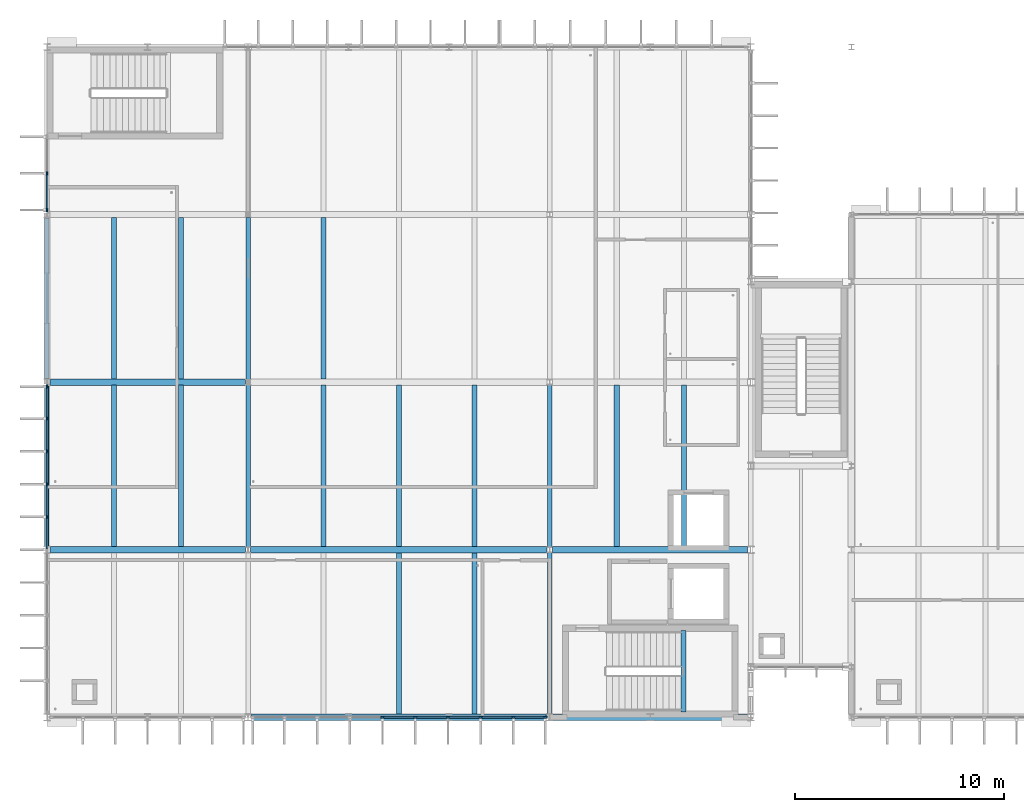
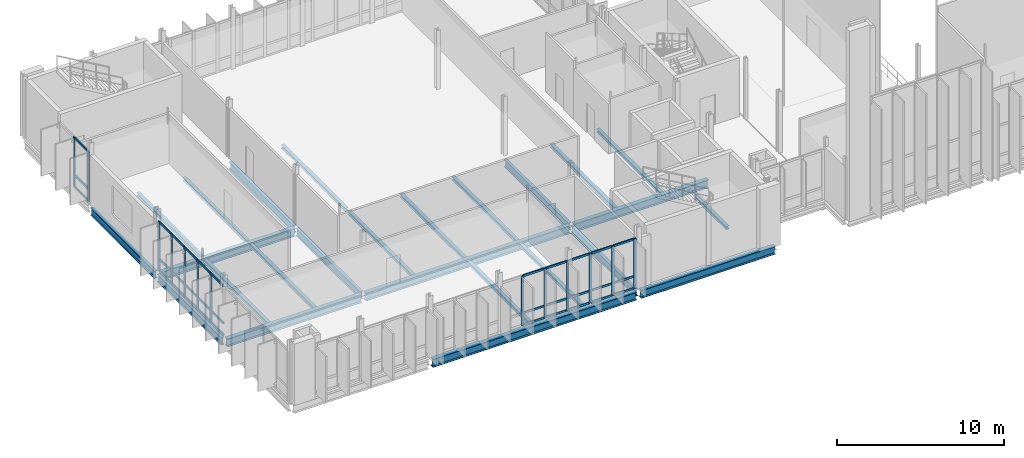
# One storey, part 8 of 41: 46 members, 25 beams, 3 elements without a shape of their own.
"""IFC4 building model written with IfcOpenShell, lengths in metres."""

import ifcopenshell
import ifcopenshell.guid

model = None  # the IFC model being written
_history = None  # IfcOwnerHistory: only IFC2X3 demands one
_inside = {}  # id of a spatial element -> (the spatial element, [elements in it])
_under = {}  # id of a project, library or spatial element -> (it, [spatial elements below it])
_declared = {}  # id of a project -> (the project, [libraries it declares])
_typed = {}  # id of a type object -> (the type object, [elements of that type])
_made_of = {}  # id of a material, layer set ... -> (it, [elements and type objects made of it])


def new_model(schema):
    """Start an empty IFC model of exactly this schema.

    Asked for "IFC4X3", IfcOpenShell would pick the latest addendum, in which some entities
    have other attributes; the version numbers below select the first issue.
    IFC2X3 requires an IfcOwnerHistory on every rooted entity: one is made here for all.
    """
    global model, _history
    if schema == "IFC4X3":
        model = ifcopenshell.file(schema_version=(4, 3, 0, 0))
    else:
        model = ifcopenshell.file(schema=schema)
    _inside.clear()
    _under.clear()
    _declared.clear()
    _typed.clear()
    _made_of.clear()
    _history = None
    if model.schema == "IFC2X3":
        org = make("IfcOrganization", Name="unknown")
        user = make(
            "IfcPersonAndOrganization",
            ThePerson=make("IfcPerson", FamilyName="unknown"),
            TheOrganization=org,
        )
        app = make(
            "IfcApplication",
            ApplicationDeveloper=org,
            Version="unknown",
            ApplicationFullName="unknown",
            ApplicationIdentifier="unknown",
        )
        _history = make(
            "IfcOwnerHistory",
            OwningUser=user,
            OwningApplication=app,
            ChangeAction="ADDED",
            CreationDate=0,
        )
    return model


def make(cls, **values):
    """One entity of the class cls with the attributes given. An attribute that is None is left unset."""
    return model.create_entity(
        cls, **{name: value for name, value in values.items() if value is not None}
    )


def rooted(cls, **values):
    """An entity with a GlobalId (a new one), such as an element, a storey or a relation."""
    return make(cls, GlobalId=ifcopenshell.guid.new(), OwnerHistory=_history, **values)


def si_unit(unit_type, name, prefix=None):
    """IfcSIUnit, for example si_unit("LENGTHUNIT", "METRE", prefix="MILLI")."""
    return make("IfcSIUnit", UnitType=unit_type, Prefix=prefix, Name=name)


def assignment(units):
    """IfcUnitAssignment: the units of a project."""
    return None if units is None else make("IfcUnitAssignment", Units=units)


def point(xyz):
    """IfcCartesianPoint."""
    return None if xyz is None else make("IfcCartesianPoint", Coordinates=xyz)


def direction(xyz):
    """IfcDirection."""
    return None if xyz is None else make("IfcDirection", DirectionRatios=xyz)


def frame(location, z_axis=None, x_axis=None):
    """IfcAxis2Placement3D, a coordinate frame: its origin and axes. An axis left out is left unset."""
    return make(
        "IfcAxis2Placement3D",
        Location=point(location),
        Axis=direction(z_axis),
        RefDirection=direction(x_axis),
    )


def frame_2d(location, x_axis=None):
    """IfcAxis2Placement2D, a coordinate frame in the plane: its origin and x axis."""
    return make(
        "IfcAxis2Placement2D", Location=point(location), RefDirection=direction(x_axis)
    )


def origin():
    """The frame at (0, 0, 0) with its axes left unset."""
    return frame((0.0, 0.0, 0.0))


def origin_2d():
    """The frame at (0, 0) in the plane with its x axis left unset."""
    return frame_2d((0.0, 0.0))


def place(relative_to, where):
    """IfcLocalPlacement: puts the frame where relative to a parent placement (None: the world)."""
    return make(
        "IfcLocalPlacement", PlacementRelTo=relative_to, RelativePlacement=where
    )


def context(
    kind, dimensions, precision=None, world=None, true_north=None, identifier=None
):
    """IfcGeometricRepresentationContext, for example the 3D "Model" context."""
    return make(
        "IfcGeometricRepresentationContext",
        ContextIdentifier=identifier,
        ContextType=kind,
        CoordinateSpaceDimension=dimensions,
        Precision=precision,
        WorldCoordinateSystem=world,
        TrueNorth=true_north,
    )


def subcontext(parent, identifier, kind, view, scale=None):
    """IfcGeometricRepresentationSubContext, for example "Body" below "Model"."""
    return make(
        "IfcGeometricRepresentationSubContext",
        ContextIdentifier=identifier,
        ContextType=kind,
        ParentContext=parent,
        TargetScale=scale,
        TargetView=view,
    )


def project(units=None, contexts=None):
    """IfcProject with its units and contexts."""
    return rooted(
        "IfcProject",
        Name="project",
        RepresentationContexts=contexts,
        UnitsInContext=assignment(units),
    )


def spatial(cls, under=None, at=None, **own):
    """A site, building, storey or space (cls), placed at a placement, below another one or the project."""
    s = rooted(cls, ObjectPlacement=at, **own)
    if under is not None:
        _under.setdefault(under.id(), (under, []))[1].append(s)
    return s


def profile(cls, at=None, kind="AREA", **sizes):
    """A parametric profile (cls). Its sizes go by their IFC names, for example OverallWidth=200.0."""
    return make(cls, ProfileType=kind, Position=at, **sizes)


def rectangle(**sizes):
    """IfcRectangleProfileDef."""
    return profile("IfcRectangleProfileDef", **sizes)


def i_section(**sizes):
    """IfcIShapeProfileDef."""
    return profile("IfcIShapeProfileDef", **sizes)


def extrude(swept, where, along, depth):
    """IfcExtrudedAreaSolid: the profile swept, set in the frame where, extruded along a direction by depth."""
    return make(
        "IfcExtrudedAreaSolid",
        SweptArea=swept,
        Position=where,
        ExtrudedDirection=direction(along),
        Depth=depth,
    )


def shape(context_of_items, identifier, shape_type, items):
    """IfcShapeRepresentation: the items that make up one representation, for example the "Body"."""
    return make(
        "IfcShapeRepresentation",
        ContextOfItems=context_of_items,
        RepresentationIdentifier=identifier,
        RepresentationType=shape_type,
        Items=items,
    )


def material(Name=None, Category=None):
    """IfcMaterial."""
    return make("IfcMaterial", Name=Name, Category=Category)


def material_profile(
    of_material, cross_section, Name=None, Category=None, Priority=None
):
    """IfcMaterialProfile: a cross section and its material."""
    return make(
        "IfcMaterialProfile",
        Name=Name,
        Material=of_material,
        Profile=cross_section,
        Priority=Priority,
        Category=Category,
    )


def profile_set(profiles, Name=None, composite=None):
    """IfcMaterialProfileSet."""
    return make(
        "IfcMaterialProfileSet",
        Name=Name,
        MaterialProfiles=profiles,
        CompositeProfile=composite,
    )


def made_of(thing, what):
    """Note that an element or type object is made of a material, layer set ...; save() writes the relation."""
    if what is not None:
        _made_of.setdefault(what.id(), (what, []))[1].append(thing)
    return thing


def type_object(cls, material=None, **own):
    """A type object (cls), such as IfcWallType, which elements share."""
    return made_of(rooted(cls, **own), material)


def element(
    cls,
    number,
    at=None,
    inside=None,
    cuts=None,
    type_object=None,
    material=None,
    context=None,
    identifier="Body",
    shape_type=None,
    held_by="IfcProductDefinitionShape",
    body=None,
    shapes=None,
    **own,
):
    """One element of the class cls, such as IfcWall. Its Tag is "e" and its number.

    at: its placement. inside: the storey or other place that contains it. cuts: it is an
    opening in that element (IfcRelVoidsElement). A single representation is given by context,
    identifier, shape_type and body (its items); several are given by shapes. held_by: the class
    of the entity that holds the representations. save() writes the other relations.
    """
    e = rooted(cls, Tag="e%d" % number, ObjectPlacement=at, **own)
    if body is not None:
        shapes = [shape(context, identifier, shape_type, body)]
    if shapes is not None:
        e.Representation = make(held_by, Representations=shapes)
    if inside is not None:
        _inside.setdefault(inside.id(), (inside, []))[1].append(e)
    if cuts is not None:
        rooted(
            "IfcRelVoidsElement", RelatingBuildingElement=cuts, RelatedOpeningElement=e
        )
    if type_object is not None:
        _typed.setdefault(type_object.id(), (type_object, []))[1].append(e)
    return made_of(e, material)


def aggregate(whole, parts):
    """IfcRelAggregates: a whole, such as a stair, and the parts it consists of."""
    return rooted("IfcRelAggregates", RelatingObject=whole, RelatedObjects=parts)


def save(model, path):
    """Write the relations noted so far, then the file.

    IfcRelAggregates (storeys below a building ...), IfcRelContainedInSpatialStructure (elements
    in a storey), IfcRelDefinesByType, IfcRelAssociatesMaterial and IfcRelDeclares: one each for
    every whole, place, type object, material and project.
    """
    for whole, parts in _under.values():
        aggregate(whole, parts)
    for where, things in _inside.values():
        rooted(
            "IfcRelContainedInSpatialStructure",
            RelatedElements=things,
            RelatingStructure=where,
        )
    for kind, things in _typed.values():
        rooted("IfcRelDefinesByType", RelatedObjects=things, RelatingType=kind)
    for what, things in _made_of.values():
        rooted("IfcRelAssociatesMaterial", RelatedObjects=things, RelatingMaterial=what)
    for by, libraries in _declared.values():
        rooted("IfcRelDeclares", RelatingContext=by, RelatedDefinitions=libraries)
    model.write(path)


model = new_model("IFC4")

# Units and contexts
model_context = context("Model", 3, precision=1e-05, world=origin(), true_north=direction((0.0, 1.0)))
body_context = subcontext(model_context, "Body", "Model", "MODEL_VIEW")
ifc_project = project(units=[si_unit("LENGTHUNIT", "METRE"), si_unit("AREAUNIT", "SQUARE_METRE"), si_unit("VOLUMEUNIT", "CUBIC_METRE"), si_unit("PLANEANGLEUNIT", "RADIAN"), si_unit("MASSUNIT", "GRAM", prefix="KILO")], contexts=[model_context])

# Site, building, storey
site_placement = place(None, origin())
site = spatial("IfcSite", under=ifc_project, at=site_placement, CompositionType="ELEMENT")
building_placement = place(site_placement, origin())
building = spatial("IfcBuilding", under=site, at=building_placement, Name="Dunescarp Central Library", CompositionType="ELEMENT")
storey_placement = place(building_placement, frame((0.0, 0.0, 23.10009765625)))
storey = spatial("IfcBuildingStorey", under=building, at=storey_placement, Name="L05", CompositionType="ELEMENT", Elevation=23.10009765625)

# Curtain wall, members
ifc_material_1 = material(Name="Marine-grade anodised aluminium 6063-T6", Category="aluminium")
curtain_wall_type = type_object("IfcCurtainWallType", Name="ARC-CW-STICK", PredefinedType="NOTDEFINED", material=ifc_material_1)
curtain_wall_1_placement = place(storey_placement, origin())
curtain_wall_1 = element("IfcCurtainWall", 1, at=curtain_wall_1_placement, inside=storey, type_object=curtain_wall_type, Name="L05 curtain wall CW-V1-032", PredefinedType="NOTDEFINED")
ifc_material_profile_1 = material_profile(ifc_material_1, rectangle(XDim=0.080078125, YDim=0.179931640625, at=origin_2d()), Name="AL 80x180")
ifc_profile_set_1 = profile_set([ifc_material_profile_1], Name="Marine-grade anodised aluminium 6063-T6")
member_type_1 = type_object("IfcMemberType", Name="ARC-CWM-180", PredefinedType="MULLION", material=ifc_profile_set_1)
member_1_placement = place(storey_placement, frame((23.784912109375, 4.800048828125, 0.0), z_axis=(0.0, 0.0, 1.0), x_axis=(0.0, -1.0, 0.0)))
member_1 = element("IfcMember", 2, at=member_1_placement, type_object=member_type_1, Name="CW-V1-032 mullion 1", PredefinedType="MULLION", context=body_context, shape_type="SweptSolid", body=[
    extrude(rectangle(XDim=0.080078125, YDim=0.179931640625, at=origin_2d()), origin(), (0.0, 0.0, 1.0), 3.65283203125),
])
member_2_placement = place(storey_placement, frame((22.263916015625, 4.800048828125, 0.0), z_axis=(0.0, 0.0, 1.0), x_axis=(0.0, -1.0, 0.0)))
member_2 = element("IfcMember", 3, at=member_2_placement, type_object=member_type_1, Name="CW-V1-032 mullion 2", PredefinedType="MULLION", context=body_context, shape_type="SweptSolid", body=[
    extrude(rectangle(XDim=0.080078125, YDim=0.179931640625, at=origin_2d()), origin(), (0.0, 0.0, 1.0), 3.65283203125),
])
member_3_placement = place(storey_placement, frame((20.702880859375, 4.800048828125, 0.0), z_axis=(0.0, 0.0, 1.0), x_axis=(0.0, -1.0, 0.0)))
member_3 = element("IfcMember", 4, at=member_3_placement, type_object=member_type_1, Name="CW-V1-032 mullion 3", PredefinedType="MULLION", context=body_context, shape_type="SweptSolid", body=[
    extrude(rectangle(XDim=0.080078125, YDim=0.179931640625, at=origin_2d()), origin(), (0.0, 0.0, 1.0), 3.65283203125),
])
member_4_placement = place(storey_placement, frame((19.1416015625, 4.800048828125, 0.0), z_axis=(0.0, 0.0, 1.0), x_axis=(0.0, -1.0, 0.0)))
member_4 = element("IfcMember", 5, at=member_4_placement, type_object=member_type_1, Name="CW-V1-032 mullion 4", PredefinedType="MULLION", context=body_context, shape_type="SweptSolid", body=[
    extrude(rectangle(XDim=0.080078125, YDim=0.179931640625, at=origin_2d()), origin(), (0.0, 0.0, 1.0), 3.65283203125),
])
member_5_placement = place(storey_placement, frame((17.58056640625, 4.800048828125, 0.0), z_axis=(0.0, 0.0, 1.0), x_axis=(0.0, -1.0, 0.0)))
member_5 = element("IfcMember", 6, at=member_5_placement, type_object=member_type_1, Name="CW-V1-032 mullion 5", PredefinedType="MULLION", context=body_context, shape_type="SweptSolid", body=[
    extrude(rectangle(XDim=0.080078125, YDim=0.179931640625, at=origin_2d()), origin(), (0.0, 0.0, 1.0), 3.65283203125),
])
member_6_placement = place(storey_placement, frame((16.01953125, 4.800048828125, 0.0), z_axis=(0.0, 0.0, 1.0), x_axis=(0.0, -1.0, 0.0)))
member_6 = element("IfcMember", 7, at=member_6_placement, type_object=member_type_1, Name="CW-V1-032 mullion 6", PredefinedType="MULLION", context=body_context, shape_type="SweptSolid", body=[
    extrude(rectangle(XDim=0.080078125, YDim=0.179931640625, at=origin_2d()), origin(), (0.0, 0.0, 1.0), 3.65283203125),
])

curtain_wall_2_placement = place(storey_placement, origin())
curtain_wall_2 = element("IfcCurtainWall", 8, at=curtain_wall_2_placement, inside=storey, type_object=curtain_wall_type, Name="L05 curtain wall CW-V1-035", PredefinedType="NOTDEFINED")
member_7_placement = place(storey_placement, frame((0.0, 14.364990234375, 0.0), z_axis=(0.0, 0.0, 1.0), x_axis=(-1.0, 0.0, 0.0)))
member_7 = element("IfcMember", 9, at=member_7_placement, type_object=member_type_1, Name="CW-V1-035 mullion 7", PredefinedType="MULLION", context=body_context, shape_type="SweptSolid", body=[
    extrude(rectangle(XDim=0.080078125, YDim=0.179931640625, at=origin_2d()), origin(), (0.0, 0.0, 1.0), 3.65283203125),
])
member_8_placement = place(storey_placement, frame((0.0, 15.929931640625, 0.0), z_axis=(0.0, 0.0, 1.0), x_axis=(-1.0, 0.0, 0.0)))
member_8 = element("IfcMember", 10, at=member_8_placement, type_object=member_type_1, Name="CW-V1-035 mullion 8", PredefinedType="MULLION", context=body_context, shape_type="SweptSolid", body=[
    extrude(rectangle(XDim=0.080078125, YDim=0.179931640625, at=origin_2d()), origin(), (0.0, 0.0, 1.0), 3.65283203125),
])
member_9_placement = place(storey_placement, frame((0.0, 17.4951171875, 0.0), z_axis=(0.0, 0.0, 1.0), x_axis=(-1.0, 0.0, 0.0)))
member_9 = element("IfcMember", 11, at=member_9_placement, type_object=member_type_1, Name="CW-V1-035 mullion 9", PredefinedType="MULLION", context=body_context, shape_type="SweptSolid", body=[
    extrude(rectangle(XDim=0.080078125, YDim=0.179931640625, at=origin_2d()), origin(), (0.0, 0.0, 1.0), 3.65283203125),
])
member_10_placement = place(storey_placement, frame((0.0, 19.06005859375, 0.0), z_axis=(0.0, 0.0, 1.0), x_axis=(-1.0, 0.0, 0.0)))
member_10 = element("IfcMember", 12, at=member_10_placement, type_object=member_type_1, Name="CW-V1-035 mullion 10", PredefinedType="MULLION", context=body_context, shape_type="SweptSolid", body=[
    extrude(rectangle(XDim=0.080078125, YDim=0.179931640625, at=origin_2d()), origin(), (0.0, 0.0, 1.0), 3.65283203125),
])
member_11_placement = place(storey_placement, frame((0.0, 20.5849609375, 0.0), z_axis=(0.0, 0.0, 1.0), x_axis=(-1.0, 0.0, 0.0)))
member_11 = element("IfcMember", 13, at=member_11_placement, type_object=member_type_1, Name="CW-V1-035 mullion 11", PredefinedType="MULLION", context=body_context, shape_type="SweptSolid", body=[
    extrude(rectangle(XDim=0.080078125, YDim=0.179931640625, at=origin_2d()), origin(), (0.0, 0.0, 1.0), 3.65283203125),
])

curtain_wall_3_placement = place(storey_placement, origin())
curtain_wall_3 = element("IfcCurtainWall", 14, at=curtain_wall_3_placement, inside=storey, type_object=curtain_wall_type, Name="L05 curtain wall CW-V1-036", PredefinedType="NOTDEFINED")
member_12_placement = place(storey_placement, frame((0.0, 29.014892578125, 0.0), z_axis=(0.0, 0.0, 1.0), x_axis=(-1.0, 0.0, 0.0)))
member_12 = element("IfcMember", 15, at=member_12_placement, type_object=member_type_1, Name="CW-V1-036 mullion 1", PredefinedType="MULLION", context=body_context, shape_type="SweptSolid", body=[
    extrude(rectangle(XDim=0.080078125, YDim=0.179931640625, at=origin_2d()), origin(), (0.0, 0.0, 1.0), 3.65283203125),
])
member_13_placement = place(storey_placement, frame((0.0, 30.762451171875, 0.0), z_axis=(0.0, 0.0, 1.0), x_axis=(-1.0, 0.0, 0.0)))
member_13 = element("IfcMember", 16, at=member_13_placement, type_object=member_type_1, Name="CW-V1-036 mullion 2", PredefinedType="MULLION", context=body_context, shape_type="SweptSolid", body=[
    extrude(rectangle(XDim=0.080078125, YDim=0.179931640625, at=origin_2d()), origin(), (0.0, 0.0, 1.0), 3.65283203125),
])

# Member
ifc_material_profile_2 = material_profile(ifc_material_1, rectangle(XDim=0.080078125, YDim=0.14990234375, at=origin_2d()), Name="AL 80x150")
ifc_profile_set_2 = profile_set([ifc_material_profile_2], Name="Marine-grade anodised aluminium 6063-T6")
member_type_2 = type_object("IfcMemberType", Name="ARC-CWT-150", PredefinedType="USERDEFINED", material=ifc_profile_set_2)
member_14_placement = place(storey_placement, frame((23.7451171875, 4.800048828125, 0.039794921875), z_axis=(-1.0, 0.0, 0.0), x_axis=(0.0, -1.0, 0.0)))
member_14 = element("IfcMember", 17, at=member_14_placement, type_object=member_type_2, Name="CW-V1-032 transom 1.1", ObjectType="TRANSOM", PredefinedType="USERDEFINED", context=body_context, shape_type="SweptSolid", body=[
    extrude(rectangle(XDim=0.080078125, YDim=0.14990234375, at=origin_2d()), origin(), (0.0, 0.0, 1.0), 1.441162109375),
])

member_15_placement = place(storey_placement, frame((23.7451171875, 4.800048828125, 0.89990234375), z_axis=(-1.0, 0.0, 0.0), x_axis=(0.0, -1.0, 0.0)))
member_15 = element("IfcMember", 18, at=member_15_placement, type_object=member_type_2, Name="CW-V1-032 transom 1.2", ObjectType="TRANSOM", PredefinedType="USERDEFINED", context=body_context, shape_type="SweptSolid", body=[
    extrude(rectangle(XDim=0.080078125, YDim=0.14990234375, at=origin_2d()), origin(), (0.0, 0.0, 1.0), 1.441162109375),
])

member_16_placement = place(storey_placement, frame((23.7451171875, 4.800048828125, 3.61279296875), z_axis=(-1.0, 0.0, 0.0), x_axis=(0.0, -1.0, 0.0)))
member_16 = element("IfcMember", 19, at=member_16_placement, type_object=member_type_2, Name="CW-V1-032 transom 1.3", ObjectType="TRANSOM", PredefinedType="USERDEFINED", context=body_context, shape_type="SweptSolid", body=[
    extrude(rectangle(XDim=0.080078125, YDim=0.14990234375, at=origin_2d()), origin(), (0.0, 0.0, 1.0), 1.441162109375),
])

member_17_placement = place(storey_placement, frame((22.223876953125, 4.800048828125, 0.039794921875), z_axis=(-1.0, 0.0, 0.0), x_axis=(0.0, -1.0, 0.0)))
member_17 = element("IfcMember", 20, at=member_17_placement, type_object=member_type_2, Name="CW-V1-032 transom 2.1", ObjectType="TRANSOM", PredefinedType="USERDEFINED", context=body_context, shape_type="SweptSolid", body=[
    extrude(rectangle(XDim=0.080078125, YDim=0.14990234375, at=origin_2d()), origin(), (0.0, 0.0, 1.0), 1.481201171875),
])

member_18_placement = place(storey_placement, frame((22.223876953125, 4.800048828125, 0.89990234375), z_axis=(-1.0, 0.0, 0.0), x_axis=(0.0, -1.0, 0.0)))
member_18 = element("IfcMember", 21, at=member_18_placement, type_object=member_type_2, Name="CW-V1-032 transom 2.2", ObjectType="TRANSOM", PredefinedType="USERDEFINED", context=body_context, shape_type="SweptSolid", body=[
    extrude(rectangle(XDim=0.080078125, YDim=0.14990234375, at=origin_2d()), origin(), (0.0, 0.0, 1.0), 1.481201171875),
])

member_19_placement = place(storey_placement, frame((22.223876953125, 4.800048828125, 3.61279296875), z_axis=(-1.0, 0.0, 0.0), x_axis=(0.0, -1.0, 0.0)))
member_19 = element("IfcMember", 22, at=member_19_placement, type_object=member_type_2, Name="CW-V1-032 transom 2.3", ObjectType="TRANSOM", PredefinedType="USERDEFINED", context=body_context, shape_type="SweptSolid", body=[
    extrude(rectangle(XDim=0.080078125, YDim=0.14990234375, at=origin_2d()), origin(), (0.0, 0.0, 1.0), 1.481201171875),
])

member_20_placement = place(storey_placement, frame((20.662841796875, 4.800048828125, 0.039794921875), z_axis=(-1.0, 0.0, 0.0), x_axis=(0.0, -1.0, 0.0)))
member_20 = element("IfcMember", 23, at=member_20_placement, type_object=member_type_2, Name="CW-V1-032 transom 3.1", ObjectType="TRANSOM", PredefinedType="USERDEFINED", context=body_context, shape_type="SweptSolid", body=[
    extrude(rectangle(XDim=0.080078125, YDim=0.14990234375, at=origin_2d()), origin(), (0.0, 0.0, 1.0), 1.481201171875),
])

member_21_placement = place(storey_placement, frame((20.662841796875, 4.800048828125, 0.89990234375), z_axis=(-1.0, 0.0, 0.0), x_axis=(0.0, -1.0, 0.0)))
member_21 = element("IfcMember", 24, at=member_21_placement, type_object=member_type_2, Name="CW-V1-032 transom 3.2", ObjectType="TRANSOM", PredefinedType="USERDEFINED", context=body_context, shape_type="SweptSolid", body=[
    extrude(rectangle(XDim=0.080078125, YDim=0.14990234375, at=origin_2d()), origin(), (0.0, 0.0, 1.0), 1.481201171875),
])

member_22_placement = place(storey_placement, frame((20.662841796875, 4.800048828125, 3.61279296875), z_axis=(-1.0, 0.0, 0.0), x_axis=(0.0, -1.0, 0.0)))
member_22 = element("IfcMember", 25, at=member_22_placement, type_object=member_type_2, Name="CW-V1-032 transom 3.3", ObjectType="TRANSOM", PredefinedType="USERDEFINED", context=body_context, shape_type="SweptSolid", body=[
    extrude(rectangle(XDim=0.080078125, YDim=0.14990234375, at=origin_2d()), origin(), (0.0, 0.0, 1.0), 1.481201171875),
])

member_23_placement = place(storey_placement, frame((19.1015625, 4.800048828125, 0.039794921875), z_axis=(-1.0, 0.0, 0.0), x_axis=(0.0, -1.0, 0.0)))
member_23 = element("IfcMember", 26, at=member_23_placement, type_object=member_type_2, Name="CW-V1-032 transom 4.1", ObjectType="TRANSOM", PredefinedType="USERDEFINED", context=body_context, shape_type="SweptSolid", body=[
    extrude(rectangle(XDim=0.080078125, YDim=0.14990234375, at=origin_2d()), origin(), (0.0, 0.0, 1.0), 1.48095703125),
])

member_24_placement = place(storey_placement, frame((19.1015625, 4.800048828125, 0.89990234375), z_axis=(-1.0, 0.0, 0.0), x_axis=(0.0, -1.0, 0.0)))
member_24 = element("IfcMember", 27, at=member_24_placement, type_object=member_type_2, Name="CW-V1-032 transom 4.2", ObjectType="TRANSOM", PredefinedType="USERDEFINED", context=body_context, shape_type="SweptSolid", body=[
    extrude(rectangle(XDim=0.080078125, YDim=0.14990234375, at=origin_2d()), origin(), (0.0, 0.0, 1.0), 1.48095703125),
])

member_25_placement = place(storey_placement, frame((19.1015625, 4.800048828125, 3.61279296875), z_axis=(-1.0, 0.0, 0.0), x_axis=(0.0, -1.0, 0.0)))
member_25 = element("IfcMember", 28, at=member_25_placement, type_object=member_type_2, Name="CW-V1-032 transom 4.3", ObjectType="TRANSOM", PredefinedType="USERDEFINED", context=body_context, shape_type="SweptSolid", body=[
    extrude(rectangle(XDim=0.080078125, YDim=0.14990234375, at=origin_2d()), origin(), (0.0, 0.0, 1.0), 1.48095703125),
])

member_26_placement = place(storey_placement, frame((17.54052734375, 4.800048828125, 0.039794921875), z_axis=(-1.0, 0.0, 0.0), x_axis=(0.0, -1.0, 0.0)))
member_26 = element("IfcMember", 29, at=member_26_placement, type_object=member_type_2, Name="CW-V1-032 transom 5.1", ObjectType="TRANSOM", PredefinedType="USERDEFINED", context=body_context, shape_type="SweptSolid", body=[
    extrude(rectangle(XDim=0.080078125, YDim=0.14990234375, at=origin_2d()), origin(), (0.0, 0.0, 1.0), 1.481201171875),
])

member_27_placement = place(storey_placement, frame((17.54052734375, 4.800048828125, 0.89990234375), z_axis=(-1.0, 0.0, 0.0), x_axis=(0.0, -1.0, 0.0)))
member_27 = element("IfcMember", 30, at=member_27_placement, type_object=member_type_2, Name="CW-V1-032 transom 5.2", ObjectType="TRANSOM", PredefinedType="USERDEFINED", context=body_context, shape_type="SweptSolid", body=[
    extrude(rectangle(XDim=0.080078125, YDim=0.14990234375, at=origin_2d()), origin(), (0.0, 0.0, 1.0), 1.481201171875),
])

member_28_placement = place(storey_placement, frame((17.54052734375, 4.800048828125, 3.61279296875), z_axis=(-1.0, 0.0, 0.0), x_axis=(0.0, -1.0, 0.0)))
member_28 = element("IfcMember", 31, at=member_28_placement, type_object=member_type_2, Name="CW-V1-032 transom 5.3", ObjectType="TRANSOM", PredefinedType="USERDEFINED", context=body_context, shape_type="SweptSolid", body=[
    extrude(rectangle(XDim=0.080078125, YDim=0.14990234375, at=origin_2d()), origin(), (0.0, 0.0, 1.0), 1.481201171875),
])

aggregate(curtain_wall_1, [member_1, member_2, member_3, member_4, member_5, member_6, member_14, member_15, member_16, member_17, member_18, member_19, member_20, member_21, member_22, member_23, member_24, member_25, member_26, member_27, member_28])

member_29_placement = place(storey_placement, frame((0.0, 12.840087890625, 0.039794921875), z_axis=(0.0, 1.0, 0.0), x_axis=(-1.0, 0.0, 0.0)))
member_29 = element("IfcMember", 32, at=member_29_placement, type_object=member_type_2, Name="CW-V1-035 transom 6.1", ObjectType="TRANSOM", PredefinedType="USERDEFINED", context=body_context, shape_type="SweptSolid", body=[
    extrude(rectangle(XDim=0.080078125, YDim=0.14990234375, at=origin_2d()), origin(), (0.0, 0.0, 1.0), 1.48486328125),
])

member_30_placement = place(storey_placement, frame((0.0, 12.840087890625, 0.89990234375), z_axis=(0.0, 1.0, 0.0), x_axis=(-1.0, 0.0, 0.0)))
member_30 = element("IfcMember", 33, at=member_30_placement, type_object=member_type_2, Name="CW-V1-035 transom 6.2", ObjectType="TRANSOM", PredefinedType="USERDEFINED", context=body_context, shape_type="SweptSolid", body=[
    extrude(rectangle(XDim=0.080078125, YDim=0.14990234375, at=origin_2d()), origin(), (0.0, 0.0, 1.0), 1.48486328125),
])

member_31_placement = place(storey_placement, frame((0.0, 12.840087890625, 3.61279296875), z_axis=(0.0, 1.0, 0.0), x_axis=(-1.0, 0.0, 0.0)))
member_31 = element("IfcMember", 34, at=member_31_placement, type_object=member_type_2, Name="CW-V1-035 transom 6.3", ObjectType="TRANSOM", PredefinedType="USERDEFINED", context=body_context, shape_type="SweptSolid", body=[
    extrude(rectangle(XDim=0.080078125, YDim=0.14990234375, at=origin_2d()), origin(), (0.0, 0.0, 1.0), 1.48486328125),
])

member_32_placement = place(storey_placement, frame((0.0, 14.405029296875, 0.039794921875), z_axis=(0.0, 1.0, 0.0), x_axis=(-1.0, 0.0, 0.0)))
member_32 = element("IfcMember", 35, at=member_32_placement, type_object=member_type_2, Name="CW-V1-035 transom 7.1", ObjectType="TRANSOM", PredefinedType="USERDEFINED", context=body_context, shape_type="SweptSolid", body=[
    extrude(rectangle(XDim=0.080078125, YDim=0.14990234375, at=origin_2d()), origin(), (0.0, 0.0, 1.0), 1.48486328125),
])

member_33_placement = place(storey_placement, frame((0.0, 14.405029296875, 0.89990234375), z_axis=(0.0, 1.0, 0.0), x_axis=(-1.0, 0.0, 0.0)))
member_33 = element("IfcMember", 36, at=member_33_placement, type_object=member_type_2, Name="CW-V1-035 transom 7.2", ObjectType="TRANSOM", PredefinedType="USERDEFINED", context=body_context, shape_type="SweptSolid", body=[
    extrude(rectangle(XDim=0.080078125, YDim=0.14990234375, at=origin_2d()), origin(), (0.0, 0.0, 1.0), 1.48486328125),
])

member_34_placement = place(storey_placement, frame((0.0, 14.405029296875, 3.61279296875), z_axis=(0.0, 1.0, 0.0), x_axis=(-1.0, 0.0, 0.0)))
member_34 = element("IfcMember", 37, at=member_34_placement, type_object=member_type_2, Name="CW-V1-035 transom 7.3", ObjectType="TRANSOM", PredefinedType="USERDEFINED", context=body_context, shape_type="SweptSolid", body=[
    extrude(rectangle(XDim=0.080078125, YDim=0.14990234375, at=origin_2d()), origin(), (0.0, 0.0, 1.0), 1.48486328125),
])

member_35_placement = place(storey_placement, frame((0.0, 15.969970703125, 0.039794921875), z_axis=(0.0, 1.0, 0.0), x_axis=(-1.0, 0.0, 0.0)))
member_35 = element("IfcMember", 38, at=member_35_placement, type_object=member_type_2, Name="CW-V1-035 transom 8.1", ObjectType="TRANSOM", PredefinedType="USERDEFINED", context=body_context, shape_type="SweptSolid", body=[
    extrude(rectangle(XDim=0.080078125, YDim=0.14990234375, at=origin_2d()), origin(), (0.0, 0.0, 1.0), 1.485107421875),
])

member_36_placement = place(storey_placement, frame((0.0, 15.969970703125, 0.89990234375), z_axis=(0.0, 1.0, 0.0), x_axis=(-1.0, 0.0, 0.0)))
member_36 = element("IfcMember", 39, at=member_36_placement, type_object=member_type_2, Name="CW-V1-035 transom 8.2", ObjectType="TRANSOM", PredefinedType="USERDEFINED", context=body_context, shape_type="SweptSolid", body=[
    extrude(rectangle(XDim=0.080078125, YDim=0.14990234375, at=origin_2d()), origin(), (0.0, 0.0, 1.0), 1.485107421875),
])

member_37_placement = place(storey_placement, frame((0.0, 15.969970703125, 3.61279296875), z_axis=(0.0, 1.0, 0.0), x_axis=(-1.0, 0.0, 0.0)))
member_37 = element("IfcMember", 40, at=member_37_placement, type_object=member_type_2, Name="CW-V1-035 transom 8.3", ObjectType="TRANSOM", PredefinedType="USERDEFINED", context=body_context, shape_type="SweptSolid", body=[
    extrude(rectangle(XDim=0.080078125, YDim=0.14990234375, at=origin_2d()), origin(), (0.0, 0.0, 1.0), 1.485107421875),
])

member_38_placement = place(storey_placement, frame((0.0, 17.534912109375, 0.039794921875), z_axis=(0.0, 1.0, 0.0), x_axis=(-1.0, 0.0, 0.0)))
member_38 = element("IfcMember", 41, at=member_38_placement, type_object=member_type_2, Name="CW-V1-035 transom 9.1", ObjectType="TRANSOM", PredefinedType="USERDEFINED", context=body_context, shape_type="SweptSolid", body=[
    extrude(rectangle(XDim=0.080078125, YDim=0.14990234375, at=origin_2d()), origin(), (0.0, 0.0, 1.0), 1.485107421875),
])

member_39_placement = place(storey_placement, frame((0.0, 17.534912109375, 0.89990234375), z_axis=(0.0, 1.0, 0.0), x_axis=(-1.0, 0.0, 0.0)))
member_39 = element("IfcMember", 42, at=member_39_placement, type_object=member_type_2, Name="CW-V1-035 transom 9.2", ObjectType="TRANSOM", PredefinedType="USERDEFINED", context=body_context, shape_type="SweptSolid", body=[
    extrude(rectangle(XDim=0.080078125, YDim=0.14990234375, at=origin_2d()), origin(), (0.0, 0.0, 1.0), 1.485107421875),
])

member_40_placement = place(storey_placement, frame((0.0, 17.534912109375, 3.61279296875), z_axis=(0.0, 1.0, 0.0), x_axis=(-1.0, 0.0, 0.0)))
member_40 = element("IfcMember", 43, at=member_40_placement, type_object=member_type_2, Name="CW-V1-035 transom 9.3", ObjectType="TRANSOM", PredefinedType="USERDEFINED", context=body_context, shape_type="SweptSolid", body=[
    extrude(rectangle(XDim=0.080078125, YDim=0.14990234375, at=origin_2d()), origin(), (0.0, 0.0, 1.0), 1.485107421875),
])

member_41_placement = place(storey_placement, frame((0.0, 19.10009765625, 0.039794921875), z_axis=(0.0, 1.0, 0.0), x_axis=(-1.0, 0.0, 0.0)))
member_41 = element("IfcMember", 44, at=member_41_placement, type_object=member_type_2, Name="CW-V1-035 transom 10.1", ObjectType="TRANSOM", PredefinedType="USERDEFINED", context=body_context, shape_type="SweptSolid", body=[
    extrude(rectangle(XDim=0.080078125, YDim=0.14990234375, at=origin_2d()), origin(), (0.0, 0.0, 1.0), 1.44482421875),
])

member_42_placement = place(storey_placement, frame((0.0, 19.10009765625, 0.89990234375), z_axis=(0.0, 1.0, 0.0), x_axis=(-1.0, 0.0, 0.0)))
member_42 = element("IfcMember", 45, at=member_42_placement, type_object=member_type_2, Name="CW-V1-035 transom 10.2", ObjectType="TRANSOM", PredefinedType="USERDEFINED", context=body_context, shape_type="SweptSolid", body=[
    extrude(rectangle(XDim=0.080078125, YDim=0.14990234375, at=origin_2d()), origin(), (0.0, 0.0, 1.0), 1.44482421875),
])

member_43_placement = place(storey_placement, frame((0.0, 19.10009765625, 3.61279296875), z_axis=(0.0, 1.0, 0.0), x_axis=(-1.0, 0.0, 0.0)))
member_43 = element("IfcMember", 46, at=member_43_placement, type_object=member_type_2, Name="CW-V1-035 transom 10.3", ObjectType="TRANSOM", PredefinedType="USERDEFINED", context=body_context, shape_type="SweptSolid", body=[
    extrude(rectangle(XDim=0.080078125, YDim=0.14990234375, at=origin_2d()), origin(), (0.0, 0.0, 1.0), 1.44482421875),
])

aggregate(curtain_wall_2, [member_7, member_8, member_9, member_10, member_11, member_29, member_30, member_31, member_32, member_33, member_34, member_35, member_36, member_37, member_38, member_39, member_40, member_41, member_42, member_43])

member_44_placement = place(storey_placement, frame((0.0, 29.054931640625, 0.039794921875), z_axis=(0.0, 1.0, 0.0), x_axis=(-1.0, 0.0, 0.0)))
member_44 = element("IfcMember", 47, at=member_44_placement, type_object=member_type_2, Name="CW-V1-036 transom 1.1", ObjectType="TRANSOM", PredefinedType="USERDEFINED", context=body_context, shape_type="SweptSolid", body=[
    extrude(rectangle(XDim=0.080078125, YDim=0.14990234375, at=origin_2d()), origin(), (0.0, 0.0, 1.0), 1.66748046875),
])

member_45_placement = place(storey_placement, frame((0.0, 29.054931640625, 0.89990234375), z_axis=(0.0, 1.0, 0.0), x_axis=(-1.0, 0.0, 0.0)))
member_45 = element("IfcMember", 48, at=member_45_placement, type_object=member_type_2, Name="CW-V1-036 transom 1.2", ObjectType="TRANSOM", PredefinedType="USERDEFINED", context=body_context, shape_type="SweptSolid", body=[
    extrude(rectangle(XDim=0.080078125, YDim=0.14990234375, at=origin_2d()), origin(), (0.0, 0.0, 1.0), 1.66748046875),
])

member_46_placement = place(storey_placement, frame((0.0, 29.054931640625, 3.61279296875), z_axis=(0.0, 1.0, 0.0), x_axis=(-1.0, 0.0, 0.0)))
member_46 = element("IfcMember", 49, at=member_46_placement, type_object=member_type_2, Name="CW-V1-036 transom 1.3", ObjectType="TRANSOM", PredefinedType="USERDEFINED", context=body_context, shape_type="SweptSolid", body=[
    extrude(rectangle(XDim=0.080078125, YDim=0.14990234375, at=origin_2d()), origin(), (0.0, 0.0, 1.0), 1.66748046875),
])

aggregate(curtain_wall_3, [member_12, member_13, member_44, member_45, member_46])

# Beams
ifc_material_2 = material(Name="Steel S355JR", Category="steel")
ifc_material_profile_3 = material_profile(ifc_material_2, i_section(OverallWidth=0.300048828125, OverallDepth=0.590087890625, WebThickness=0.012939453125, FlangeThickness=0.02490234375, at=origin_2d()), Name="HEA 600")
ifc_profile_set_3 = profile_set([ifc_material_profile_3], Name="Steel S355JR")
beam_type_1 = type_object("IfcBeamType", Name="STR-BM-HEA600", PredefinedType="BEAM", material=ifc_profile_set_3)
for number, where, z_axis, x_axis, name in (
    (50, (0.153076171875, 12.800048828125, -0.51513671875), (1.0, 0.0, 0.0), (0.0, 1.0, 0.0), "L05 girder BM-L05-0222"),
    (51, (0.153076171875, 20.800048828125, -0.51513671875), (1.0, 0.0, 0.0), (0.0, 1.0, 0.0), "L05 girder BM-L05-0227"),
):
    element("IfcBeam", number, at=place(storey_placement, frame(where, z_axis=z_axis, x_axis=x_axis)), inside=storey, type_object=beam_type_1, Name=name, PredefinedType="BEAM", context=body_context, shape_type="SweptSolid", body=[
        extrude(i_section(OverallWidth=0.300048828125, OverallDepth=0.590087890625, WebThickness=0.012939453125, FlangeThickness=0.02490234375, at=origin_2d()), origin(), (0.0, 0.0, 1.0), 9.31884765625),
    ])
beam_1_placement = place(storey_placement, frame((9.7529296875, 4.800048828125, -0.51513671875), z_axis=(1.0, 0.0, 0.0), x_axis=(0.0, 1.0, 0.0)))
element("IfcBeam", 52, at=beam_1_placement, inside=storey, type_object=beam_type_1, Name="L05 girder BM-L05-0240", PredefinedType="BEAM", context=body_context, shape_type="SweptSolid", body=[
    extrude(i_section(OverallWidth=0.300048828125, OverallDepth=0.590087890625, WebThickness=0.012939453125, FlangeThickness=0.02490234375, at=origin_2d()), origin(), (0.0, 0.0, 1.0), 14.093994140625),
])
beam_2_placement = place(storey_placement, frame((9.72802734375, 12.800048828125, -0.51513671875), z_axis=(1.0, 0.0, 0.0), x_axis=(0.0, 1.0, 0.0)))
element("IfcBeam", 53, at=beam_2_placement, inside=storey, type_object=beam_type_1, Name="L05 girder BM-L05-0241", PredefinedType="BEAM", context=body_context, shape_type="SweptSolid", body=[
    extrude(i_section(OverallWidth=0.300048828125, OverallDepth=0.590087890625, WebThickness=0.012939453125, FlangeThickness=0.02490234375, at=origin_2d()), origin(), (0.0, 0.0, 1.0), 14.14404296875),
])
beam_3_placement = place(storey_placement, frame((24.153076171875, 4.800048828125, -0.51513671875), z_axis=(1.0, 0.0, 0.0), x_axis=(0.0, 1.0, 0.0)))
element("IfcBeam", 54, at=beam_3_placement, inside=storey, type_object=beam_type_1, Name="L05 girder BM-L05-0261", PredefinedType="BEAM", context=body_context, shape_type="SweptSolid", body=[
    extrude(i_section(OverallWidth=0.300048828125, OverallDepth=0.590087890625, WebThickness=0.012939453125, FlangeThickness=0.02490234375, at=origin_2d()), origin(), (0.0, 0.0, 1.0), 9.2939453125),
])
beam_4_placement = place(storey_placement, frame((24.1279296875, 12.800048828125, -0.51513671875), z_axis=(1.0, 0.0, 0.0), x_axis=(0.0, 1.0, 0.0)))
element("IfcBeam", 55, at=beam_4_placement, inside=storey, type_object=beam_type_1, Name="L05 girder BM-L05-0262", PredefinedType="BEAM", context=body_context, shape_type="SweptSolid", body=[
    extrude(i_section(OverallWidth=0.300048828125, OverallDepth=0.590087890625, WebThickness=0.012939453125, FlangeThickness=0.02490234375, at=origin_2d()), origin(), (0.0, 0.0, 1.0), 9.319091796875),
])
ifc_material_profile_4 = material_profile(ifc_material_2, i_section(OverallWidth=0.2119140625, OverallDepth=0.54443359375, WebThickness=0.0126953125, FlangeThickness=0.021240234375, at=origin_2d()), Name="UB 533x210x122")
ifc_profile_set_4 = profile_set([ifc_material_profile_4], Name="Steel S355JR")
beam_type_2 = type_object("IfcBeamType", Name="STR-BM-UB533X122", PredefinedType="BEAM", material=ifc_profile_set_4)
beam_5_placement = place(storey_placement, frame((0.0, 12.9609375, -0.4921875), z_axis=(0.0, 1.0, 0.0), x_axis=(-1.0, 0.0, 0.0)))
element("IfcBeam", 56, at=beam_5_placement, inside=storey, type_object=beam_type_2, Name="L05 girder BM-L05-0228", PredefinedType="BEAM", context=body_context, shape_type="SweptSolid", body=[
    extrude(i_section(OverallWidth=0.2119140625, OverallDepth=0.54443359375, WebThickness=0.0126953125, FlangeThickness=0.021240234375, at=origin_2d()), origin(), (0.0, 0.0, 1.0), 7.677978515625),
])
beam_6_placement = place(storey_placement, frame((9.60009765625, 12.93505859375, -0.4921875), z_axis=(0.0, 1.0, 0.0), x_axis=(-1.0, 0.0, 0.0)))
element("IfcBeam", 57, at=beam_6_placement, inside=storey, type_object=beam_type_2, Name="L05 girder BM-L05-0229", PredefinedType="BEAM", context=body_context, shape_type="SweptSolid", body=[
    extrude(i_section(OverallWidth=0.2119140625, OverallDepth=0.54443359375, WebThickness=0.0126953125, FlangeThickness=0.021240234375, at=origin_2d()), origin(), (0.0, 0.0, 1.0), 7.72998046875),
])
beam_7_placement = place(storey_placement, frame((0.0, 20.9609375, -0.4921875), z_axis=(0.0, 1.0, 0.0), x_axis=(-1.0, 0.0, 0.0)))
element("IfcBeam", 58, at=beam_7_placement, inside=storey, type_object=beam_type_2, Name="L05 girder BM-L05-0233", PredefinedType="BEAM", context=body_context, shape_type="SweptSolid", body=[
    extrude(i_section(OverallWidth=0.2119140625, OverallDepth=0.54443359375, WebThickness=0.0126953125, FlangeThickness=0.021240234375, at=origin_2d()), origin(), (0.0, 0.0, 1.0), 7.677978515625),
])
beam_8_placement = place(storey_placement, frame((9.60009765625, 20.93505859375, -0.4921875), z_axis=(0.0, 1.0, 0.0), x_axis=(-1.0, 0.0, 0.0)))
element("IfcBeam", 59, at=beam_8_placement, inside=storey, type_object=beam_type_2, Name="L05 girder BM-L05-0234", PredefinedType="BEAM", context=body_context, shape_type="SweptSolid", body=[
    extrude(i_section(OverallWidth=0.2119140625, OverallDepth=0.54443359375, WebThickness=0.0126953125, FlangeThickness=0.021240234375, at=origin_2d()), origin(), (0.0, 0.0, 1.0), 7.72998046875),
])
beam_9_placement = place(storey_placement, frame((24.0, 4.9609375, -0.4921875), z_axis=(0.0, 1.0, 0.0), x_axis=(-1.0, 0.0, 0.0)))
element("IfcBeam", 60, at=beam_9_placement, inside=storey, type_object=beam_type_2, Name="L05 girder BM-L05-0242", PredefinedType="BEAM", context=body_context, shape_type="SweptSolid", body=[
    extrude(i_section(OverallWidth=0.2119140625, OverallDepth=0.54443359375, WebThickness=0.0126953125, FlangeThickness=0.021240234375, at=origin_2d()), origin(), (0.0, 0.0, 1.0), 7.7041015625),
])
beam_10_placement = place(storey_placement, frame((24.0, 12.93505859375, -0.4921875), z_axis=(0.0, 1.0, 0.0), x_axis=(-1.0, 0.0, 0.0)))
element("IfcBeam", 61, at=beam_10_placement, inside=storey, type_object=beam_type_2, Name="L05 girder BM-L05-0247", PredefinedType="BEAM", context=body_context, shape_type="SweptSolid", body=[
    extrude(i_section(OverallWidth=0.2119140625, OverallDepth=0.54443359375, WebThickness=0.0126953125, FlangeThickness=0.021240234375, at=origin_2d()), origin(), (0.0, 0.0, 1.0), 7.72998046875),
])
ifc_material_profile_5 = material_profile(ifc_material_2, i_section(OverallWidth=0.239990234375, OverallDepth=0.22998046875, WebThickness=0.007568359375, FlangeThickness=0.011962890625, at=origin_2d()), Name="HEA 240")
ifc_profile_set_5 = profile_set([ifc_material_profile_5], Name="Steel S355JR")
beam_type_3 = type_object("IfcBeamType", Name="STR-JS-HEA240", PredefinedType="JOIST", material=ifc_profile_set_5)
beam_11_placement = place(storey_placement, frame((30.3798828125, 5.06005859375, 1.934814453125), z_axis=(0.0, 1.0, 0.0), x_axis=(-1.0, 0.0, 0.0)))
element("IfcBeam", 62, at=beam_11_placement, inside=storey, type_object=beam_type_3, Name="L05 ST-1 landing trimmer beam BM-ST-006", PredefinedType="BEAM", context=body_context, shape_type="SweptSolid", body=[
    extrude(i_section(OverallWidth=0.239990234375, OverallDepth=0.22998046875, WebThickness=0.007568359375, FlangeThickness=0.011962890625, at=origin_2d()), origin(), (0.0, 0.0, 1.0), 3.8798828125),
])
ifc_material_profile_6 = material_profile(ifc_material_2, i_section(OverallWidth=0.239990234375, OverallDepth=0.239990234375, WebThickness=0.010009765625, FlangeThickness=0.01708984375, at=origin_2d()), Name="HEB 240")
ifc_profile_set_6 = profile_set([ifc_material_profile_6], Name="Steel S355JR")
beam_type_4 = type_object("IfcBeamType", Name="STR-JS-HEB240", PredefinedType="JOIST", material=ifc_profile_set_6)
for number, where, z_axis, x_axis, name in (
    (63, (3.199951171875, 12.947998046875, -0.340087890625), (0.0, 1.0, 0.0), (-1.0, 0.0, 0.0), "L05 joist JS-L05-0230"),
    (64, (6.39990234375, 12.947998046875, -0.340087890625), (0.0, 1.0, 0.0), (-1.0, 0.0, 0.0), "L05 joist JS-L05-0231"),
    (65, (3.199951171875, 20.947998046875, -0.340087890625), (0.0, 1.0, 0.0), (-1.0, 0.0, 0.0), "L05 joist JS-L05-0235"),
    (66, (6.39990234375, 20.947998046875, -0.340087890625), (0.0, 1.0, 0.0), (-1.0, 0.0, 0.0), "L05 joist JS-L05-0236"),
    (67, (16.800048828125, 4.947998046875, -0.340087890625), (0.0, 1.0, 0.0), (-1.0, 0.0, 0.0), "L05 joist JS-L05-0244"),
    (68, (20.39990234375, 4.947998046875, -0.340087890625), (0.0, 1.0, 0.0), (-1.0, 0.0, 0.0), "L05 joist JS-L05-0245"),
    (69, (13.199951171875, 12.947998046875, -0.340087890625), (0.0, 1.0, 0.0), (-1.0, 0.0, 0.0), "L05 joist JS-L05-0248"),
    (70, (16.800048828125, 12.947998046875, -0.340087890625), (0.0, 1.0, 0.0), (-1.0, 0.0, 0.0), "L05 joist JS-L05-0249"),
    (71, (20.39990234375, 12.947998046875, -0.340087890625), (0.0, 1.0, 0.0), (-1.0, 0.0, 0.0), "L05 joist JS-L05-0250"),
    (72, (13.199951171875, 20.947998046875, -0.340087890625), (0.0, 1.0, 0.0), (-1.0, 0.0, 0.0), "L05 joist JS-L05-0253"),
    (73, (27.199951171875, 12.947998046875, -0.340087890625), (0.0, 1.0, 0.0), (-1.0, 0.0, 0.0), "L05 joist JS-L05-0266"),
    (74, (30.39990234375, 12.947998046875, -0.340087890625), (0.0, 1.0, 0.0), (-1.0, 0.0, 0.0), "L05 joist JS-L05-0267"),
):
    element("IfcBeam", number, at=place(storey_placement, frame(where, z_axis=z_axis, x_axis=x_axis)), inside=storey, type_object=beam_type_4, Name=name, PredefinedType="JOIST", context=body_context, shape_type="SweptSolid", body=[
        extrude(i_section(OverallWidth=0.239990234375, OverallDepth=0.239990234375, WebThickness=0.010009765625, FlangeThickness=0.01708984375, at=origin_2d()), origin(), (0.0, 0.0, 1.0), 7.7041015625),
    ])

save(model, "model.ifc")
